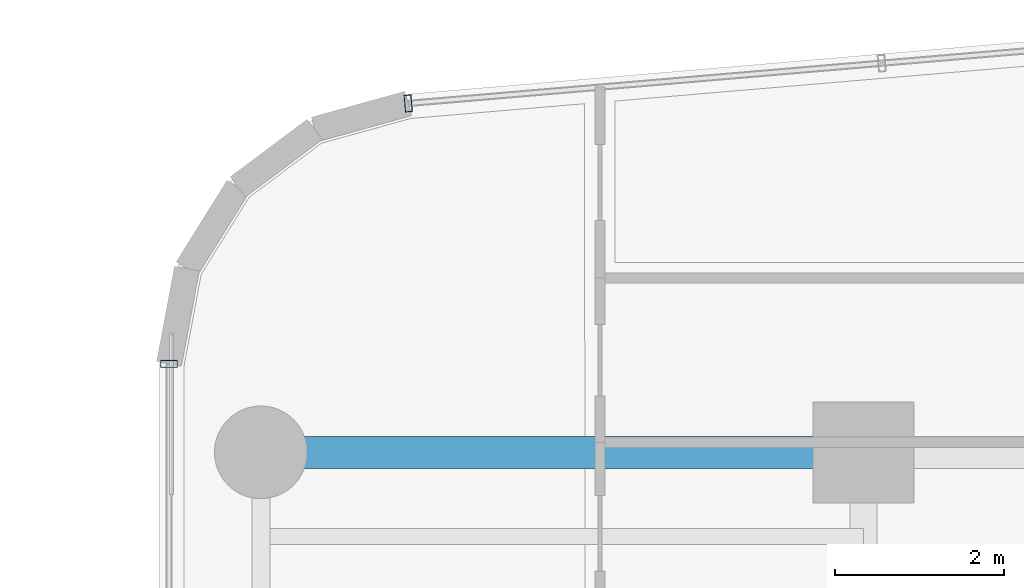
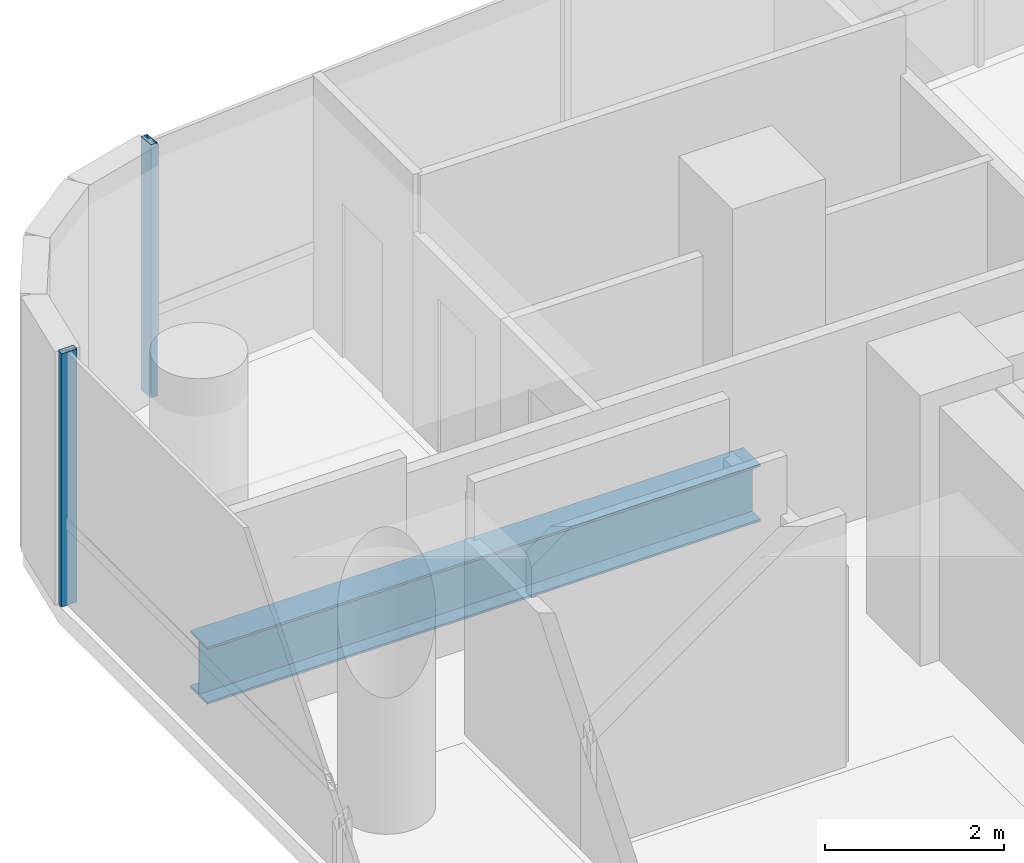
# One storey, part 20 of 38: 2 members, 1 beam, 2 elements without a shape of their own.
"""IFC4 building model written with IfcOpenShell, lengths in metres."""

from ifc_helpers import new_model, si_unit, direction, frame, origin, origin_2d, place, context, subcontext, project, spatial, hollow_rectangle, i_section, extrude, source, transform, mapped, material, material_profile, profile_set, type_object, element, aggregate, save


model = new_model("IFC4")

# Units and contexts
model_context = context("Model", 3, precision=1e-05, world=origin(), true_north=direction((0.0, 1.0)))
body_context = subcontext(model_context, "Body", "Model", "MODEL_VIEW")
ifc_project = project(units=[si_unit("LENGTHUNIT", "METRE"), si_unit("AREAUNIT", "SQUARE_METRE"), si_unit("VOLUMEUNIT", "CUBIC_METRE"), si_unit("PLANEANGLEUNIT", "RADIAN"), si_unit("MASSUNIT", "GRAM", prefix="KILO")], contexts=[model_context])

# Site, building, storey
site_placement = place(None, origin())
site = spatial("IfcSite", under=ifc_project, at=site_placement, CompositionType="ELEMENT")
building_placement = place(site_placement, origin())
building = spatial("IfcBuilding", under=site, at=building_placement, Name="Valdorenza Pilgrim Sanctuary Tower", CompositionType="ELEMENT")
storey_placement = place(building_placement, frame((0.0, 0.0, 131.60009765625)))
storey = spatial("IfcBuildingStorey", under=building, at=storey_placement, Name="L33", CompositionType="ELEMENT", Elevation=131.60009765625)

# Beam
ifc_material_1 = material(Name="Steel ASTM A992 Grade 50", Category="steel")
ifc_material_profile_1 = material_profile(ifc_material_1, i_section(OverallWidth=0.382080078125, OverallDepth=0.779052734375, WebThickness=0.01806640625, FlangeThickness=0.030029296875, at=origin_2d()), Name="W30X191")
ifc_profile_set_1 = profile_set([ifc_material_profile_1], Name="Steel ASTM A992 Grade 50")
beam_type = type_object("IfcBeamType", Name="STR-BM-GRD-W30", PredefinedType="BEAM", material=ifc_profile_set_1)
shared_shape_1 = source(origin(), body_context, "Body", "SweptSolid", [
    extrude(i_section(OverallWidth=0.382080078125, OverallDepth=0.779052734375, WebThickness=0.01806640625, FlangeThickness=0.030029296875, at=origin_2d()), origin(), (0.0, 0.0, 1.0), 7.150146484375),
])
beam_placement = place(storey_placement, frame((-29.800048828125, 14.800048828125, -0.629638671875), z_axis=(1.0, 0.0, 0.0), x_axis=(0.0, 1.0, 0.0)))
element("IfcBeam", 1, at=beam_placement, inside=storey, type_object=beam_type, Name="L33 Floor Girder WA-XW-N2", PredefinedType="BEAM", context=body_context, shape_type="MappedRepresentation", body=[
    mapped(shared_shape_1, transform((0.0, 0.0, 0.0), x_axis=(1.0, 0.0, 0.0), y_axis=(0.0, 1.0, 0.0), z_axis=(0.0, 0.0, 1.0), scale=1.0)),
])

# Curtain wall, member
ifc_material_2 = material(Name="Curtain-wall IGU glazing", Category="glass")
curtain_wall_type = type_object("IfcCurtainWallType", Name="CW-SYS-02", PredefinedType="NOTDEFINED", material=ifc_material_2)
curtain_wall_1_placement = place(storey_placement, origin())
curtain_wall_1 = element("IfcCurtainWall", 2, at=curtain_wall_1_placement, inside=storey, type_object=curtain_wall_type, Name="L33 Curtain Wall CW-L33-1-1S2", PredefinedType="NOTDEFINED")
ifc_material_3 = material(Name="Anodised aluminium AW-6060", Category="aluminium")
ifc_material_profile_2 = material_profile(ifc_material_3, hollow_rectangle(XDim=0.0849609375, YDim=0.199951171875, WallThickness=0.0048828125, at=origin_2d()), Name="ALU-M 200x85x5")
ifc_profile_set_2 = profile_set([ifc_material_profile_2], Name="Anodised aluminium AW-6060")
member_type = type_object("IfcMemberType", Name="CW-MUL-02", PredefinedType="MULLION", material=ifc_profile_set_2)
shared_shape_2 = source(origin(), body_context, "Body", "SweptSolid", [
    extrude(hollow_rectangle(XDim=0.0849609375, YDim=0.199951171875, WallThickness=0.0048828125, at=origin_2d()), origin(), (0.0, 0.0, 1.0), 3.4599609375),
])
member_1_placement = place(storey_placement, frame((-30.889892578125, 15.850341796875, 0.0), z_axis=(0.0, 0.0, 1.0), x_axis=(0.0, 1.0, 0.0)))
member_1 = element("IfcMember", 3, at=member_1_placement, type_object=member_type, Name="CW-L33-1-1S2 Mullion 4", PredefinedType="MULLION", context=body_context, shape_type="MappedRepresentation", body=[
    mapped(shared_shape_2, transform((0.0, 0.0, 0.0), x_axis=(1.0, 0.0, 0.0), y_axis=(0.0, 1.0, 0.0), z_axis=(0.0, 0.0, 1.0), scale=1.0)),
])
aggregate(curtain_wall_1, [member_1])

curtain_wall_2_placement = place(storey_placement, origin())
curtain_wall_2 = element("IfcCurtainWall", 4, at=curtain_wall_2_placement, inside=storey, type_object=curtain_wall_type, Name="L33 Curtain Wall CW-L33-1-6", PredefinedType="NOTDEFINED")
member_2_placement = place(storey_placement, frame((-28.051513671875, 18.940185546875, 0.0), z_axis=(0.0, 0.0, 1.0), x_axis=(0.99640764237, 0.084686541006, 0.0)))
member_2 = element("IfcMember", 5, at=member_2_placement, type_object=member_type, Name="CW-L33-1-6 Mullion 1", PredefinedType="MULLION", context=body_context, shape_type="MappedRepresentation", body=[
    mapped(shared_shape_2, transform((0.0, 0.0, 0.0), x_axis=(1.0, 0.0, 0.0), y_axis=(0.0, 1.0, 0.0), z_axis=(0.0, 0.0, 1.0), scale=1.0)),
])
aggregate(curtain_wall_2, [member_2])

save(model, "model.ifc")
